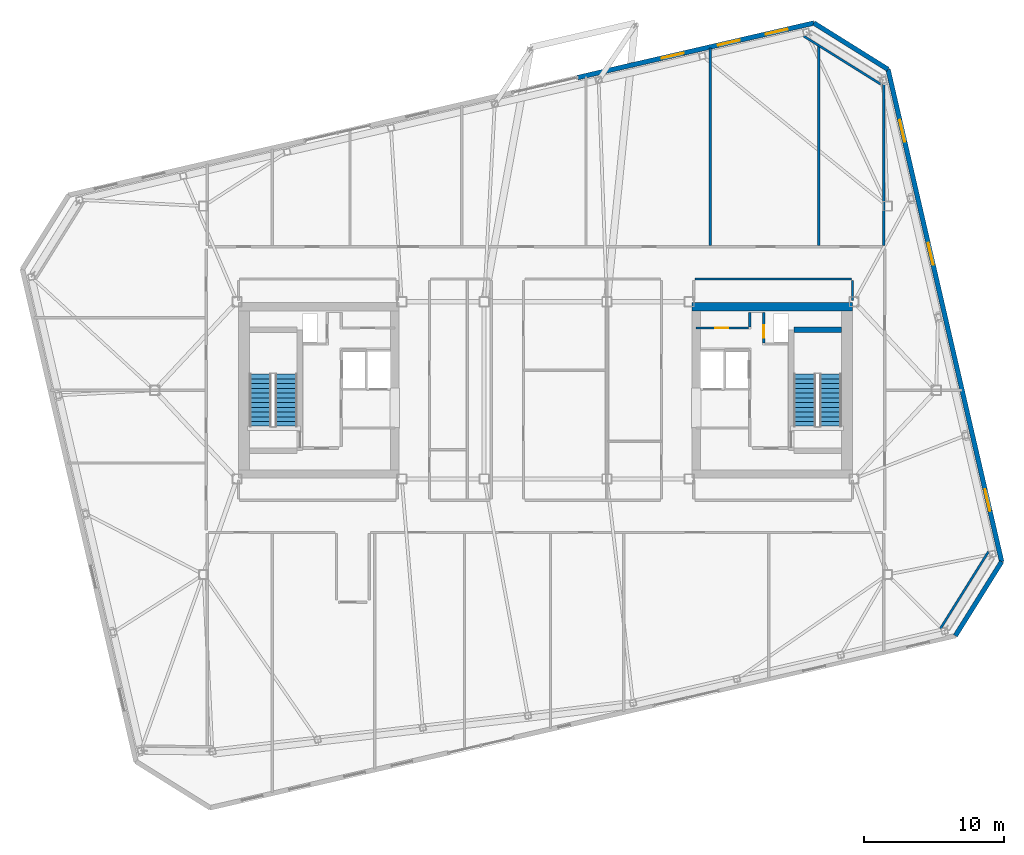
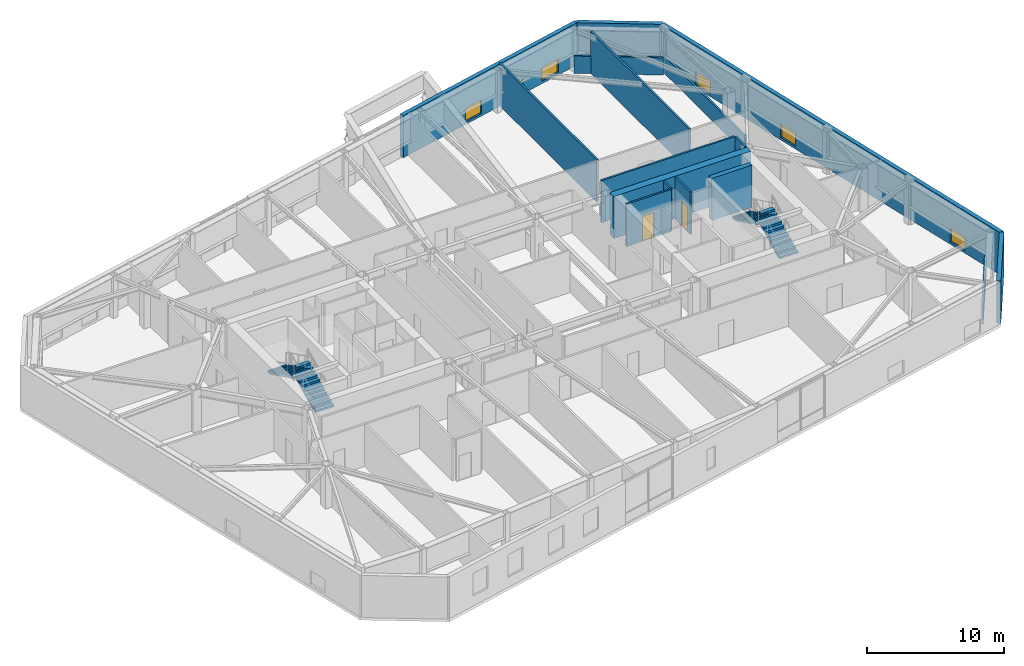
# One storey, part 19 of 23: 16 walls, 6 windows, 4 stair flights, 2 doors, 8 openings, 2 elements without a shape of their own.
"""IFC4 building model written with IfcOpenShell, lengths in metres."""

import ifcopenshell
import ifcopenshell.guid

model = None  # the IFC model being written
_history = None  # IfcOwnerHistory: only IFC2X3 demands one
_inside = {}  # id of a spatial element -> (the spatial element, [elements in it])
_under = {}  # id of a project, library or spatial element -> (it, [spatial elements below it])
_declared = {}  # id of a project -> (the project, [libraries it declares])
_typed = {}  # id of a type object -> (the type object, [elements of that type])
_made_of = {}  # id of a material, layer set ... -> (it, [elements and type objects made of it])


def new_model(schema):
    """Start an empty IFC model of exactly this schema.

    Asked for "IFC4X3", IfcOpenShell would pick the latest addendum, in which some entities
    have other attributes; the version numbers below select the first issue.
    IFC2X3 requires an IfcOwnerHistory on every rooted entity: one is made here for all.
    """
    global model, _history
    if schema == "IFC4X3":
        model = ifcopenshell.file(schema_version=(4, 3, 0, 0))
    else:
        model = ifcopenshell.file(schema=schema)
    _inside.clear()
    _under.clear()
    _declared.clear()
    _typed.clear()
    _made_of.clear()
    _history = None
    if model.schema == "IFC2X3":
        org = make("IfcOrganization", Name="unknown")
        user = make(
            "IfcPersonAndOrganization",
            ThePerson=make("IfcPerson", FamilyName="unknown"),
            TheOrganization=org,
        )
        app = make(
            "IfcApplication",
            ApplicationDeveloper=org,
            Version="unknown",
            ApplicationFullName="unknown",
            ApplicationIdentifier="unknown",
        )
        _history = make(
            "IfcOwnerHistory",
            OwningUser=user,
            OwningApplication=app,
            ChangeAction="ADDED",
            CreationDate=0,
        )
    return model


def make(cls, **values):
    """One entity of the class cls with the attributes given. An attribute that is None is left unset."""
    return model.create_entity(
        cls, **{name: value for name, value in values.items() if value is not None}
    )


def rooted(cls, **values):
    """An entity with a GlobalId (a new one), such as an element, a storey or a relation."""
    return make(cls, GlobalId=ifcopenshell.guid.new(), OwnerHistory=_history, **values)


def si_unit(unit_type, name, prefix=None):
    """IfcSIUnit, for example si_unit("LENGTHUNIT", "METRE", prefix="MILLI")."""
    return make("IfcSIUnit", UnitType=unit_type, Prefix=prefix, Name=name)


def assignment(units):
    """IfcUnitAssignment: the units of a project."""
    return None if units is None else make("IfcUnitAssignment", Units=units)


def point(xyz):
    """IfcCartesianPoint."""
    return None if xyz is None else make("IfcCartesianPoint", Coordinates=xyz)


def direction(xyz):
    """IfcDirection."""
    return None if xyz is None else make("IfcDirection", DirectionRatios=xyz)


def frame(location, z_axis=None, x_axis=None):
    """IfcAxis2Placement3D, a coordinate frame: its origin and axes. An axis left out is left unset."""
    return make(
        "IfcAxis2Placement3D",
        Location=point(location),
        Axis=direction(z_axis),
        RefDirection=direction(x_axis),
    )


def frame_2d(location, x_axis=None):
    """IfcAxis2Placement2D, a coordinate frame in the plane: its origin and x axis."""
    return make(
        "IfcAxis2Placement2D", Location=point(location), RefDirection=direction(x_axis)
    )


def origin():
    """The frame at (0, 0, 0) with its axes left unset."""
    return frame((0.0, 0.0, 0.0))


def place(relative_to, where):
    """IfcLocalPlacement: puts the frame where relative to a parent placement (None: the world)."""
    return make(
        "IfcLocalPlacement", PlacementRelTo=relative_to, RelativePlacement=where
    )


def context(
    kind, dimensions, precision=None, world=None, true_north=None, identifier=None
):
    """IfcGeometricRepresentationContext, for example the 3D "Model" context."""
    return make(
        "IfcGeometricRepresentationContext",
        ContextIdentifier=identifier,
        ContextType=kind,
        CoordinateSpaceDimension=dimensions,
        Precision=precision,
        WorldCoordinateSystem=world,
        TrueNorth=true_north,
    )


def subcontext(parent, identifier, kind, view, scale=None):
    """IfcGeometricRepresentationSubContext, for example "Body" below "Model"."""
    return make(
        "IfcGeometricRepresentationSubContext",
        ContextIdentifier=identifier,
        ContextType=kind,
        ParentContext=parent,
        TargetScale=scale,
        TargetView=view,
    )


def project(units=None, contexts=None):
    """IfcProject with its units and contexts."""
    return rooted(
        "IfcProject",
        Name="project",
        RepresentationContexts=contexts,
        UnitsInContext=assignment(units),
    )


def spatial(cls, under=None, at=None, **own):
    """A site, building, storey or space (cls), placed at a placement, below another one or the project."""
    s = rooted(cls, ObjectPlacement=at, **own)
    if under is not None:
        _under.setdefault(under.id(), (under, []))[1].append(s)
    return s


def polyline(points):
    """IfcPolyline through the points."""
    return make("IfcPolyline", Points=[point(p) for p in points])


def profile(cls, at=None, kind="AREA", **sizes):
    """A parametric profile (cls). Its sizes go by their IFC names, for example OverallWidth=200.0."""
    return make(cls, ProfileType=kind, Position=at, **sizes)


def rectangle(**sizes):
    """IfcRectangleProfileDef."""
    return profile("IfcRectangleProfileDef", **sizes)


def outline(outer, holes=None, kind="AREA"):
    """IfcArbitraryClosedProfileDef: a profile drawn as a closed curve; with holes, ...WithVoids."""
    if holes is None:
        return make("IfcArbitraryClosedProfileDef", ProfileType=kind, OuterCurve=outer)
    return make(
        "IfcArbitraryProfileDefWithVoids",
        ProfileType=kind,
        OuterCurve=outer,
        InnerCurves=holes,
    )


def extrude(swept, where, along, depth):
    """IfcExtrudedAreaSolid: the profile swept, set in the frame where, extruded along a direction by depth."""
    return make(
        "IfcExtrudedAreaSolid",
        SweptArea=swept,
        Position=where,
        ExtrudedDirection=direction(along),
        Depth=depth,
    )


def shape(context_of_items, identifier, shape_type, items):
    """IfcShapeRepresentation: the items that make up one representation, for example the "Body"."""
    return make(
        "IfcShapeRepresentation",
        ContextOfItems=context_of_items,
        RepresentationIdentifier=identifier,
        RepresentationType=shape_type,
        Items=items,
    )


def material(Name=None, Category=None):
    """IfcMaterial."""
    return make("IfcMaterial", Name=Name, Category=Category)


def layer(
    of_material, thickness, ventilated=None, Name=None, Category=None, Priority=None
):
    """IfcMaterialLayer: one layer of a wall or slab, of a material (None: an air gap)."""
    return make(
        "IfcMaterialLayer",
        Material=of_material,
        LayerThickness=thickness,
        IsVentilated=ventilated,
        Name=Name,
        Category=Category,
        Priority=Priority,
    )


def layer_set(layers, Name=None):
    """IfcMaterialLayerSet."""
    return make("IfcMaterialLayerSet", MaterialLayers=layers, LayerSetName=Name)


def made_of(thing, what):
    """Note that an element or type object is made of a material, layer set ...; save() writes the relation."""
    if what is not None:
        _made_of.setdefault(what.id(), (what, []))[1].append(thing)
    return thing


def type_object(cls, material=None, **own):
    """A type object (cls), such as IfcWallType, which elements share."""
    return made_of(rooted(cls, **own), material)


def element(
    cls,
    number,
    at=None,
    inside=None,
    cuts=None,
    type_object=None,
    material=None,
    context=None,
    identifier="Body",
    shape_type=None,
    held_by="IfcProductDefinitionShape",
    body=None,
    shapes=None,
    **own,
):
    """One element of the class cls, such as IfcWall. Its Tag is "e" and its number.

    at: its placement. inside: the storey or other place that contains it. cuts: it is an
    opening in that element (IfcRelVoidsElement). A single representation is given by context,
    identifier, shape_type and body (its items); several are given by shapes. held_by: the class
    of the entity that holds the representations. save() writes the other relations.
    """
    e = rooted(cls, Tag="e%d" % number, ObjectPlacement=at, **own)
    if body is not None:
        shapes = [shape(context, identifier, shape_type, body)]
    if shapes is not None:
        e.Representation = make(held_by, Representations=shapes)
    if inside is not None:
        _inside.setdefault(inside.id(), (inside, []))[1].append(e)
    if cuts is not None:
        rooted(
            "IfcRelVoidsElement", RelatingBuildingElement=cuts, RelatedOpeningElement=e
        )
    if type_object is not None:
        _typed.setdefault(type_object.id(), (type_object, []))[1].append(e)
    return made_of(e, material)


def fill(opening, filler):
    """IfcRelFillsElement: the door or window that sits in an opening."""
    return rooted(
        "IfcRelFillsElement",
        RelatingOpeningElement=opening,
        RelatedBuildingElement=filler,
    )


def aggregate(whole, parts):
    """IfcRelAggregates: a whole, such as a stair, and the parts it consists of."""
    return rooted("IfcRelAggregates", RelatingObject=whole, RelatedObjects=parts)


def save(model, path):
    """Write the relations noted so far, then the file.

    IfcRelAggregates (storeys below a building ...), IfcRelContainedInSpatialStructure (elements
    in a storey), IfcRelDefinesByType, IfcRelAssociatesMaterial and IfcRelDeclares: one each for
    every whole, place, type object, material and project.
    """
    for whole, parts in _under.values():
        aggregate(whole, parts)
    for where, things in _inside.values():
        rooted(
            "IfcRelContainedInSpatialStructure",
            RelatedElements=things,
            RelatingStructure=where,
        )
    for kind, things in _typed.values():
        rooted("IfcRelDefinesByType", RelatedObjects=things, RelatingType=kind)
    for what, things in _made_of.values():
        rooted("IfcRelAssociatesMaterial", RelatedObjects=things, RelatingMaterial=what)
    for by, libraries in _declared.values():
        rooted("IfcRelDeclares", RelatingContext=by, RelatedDefinitions=libraries)
    model.write(path)


model = new_model("IFC4")

# Units and contexts
model_context = context("Model", 3, precision=1e-05, world=origin(), true_north=direction((0.0, 1.0)))
body_context = subcontext(model_context, "Body", "Model", "MODEL_VIEW")
ifc_project = project(units=[si_unit("LENGTHUNIT", "METRE"), si_unit("AREAUNIT", "SQUARE_METRE"), si_unit("VOLUMEUNIT", "CUBIC_METRE"), si_unit("PLANEANGLEUNIT", "RADIAN"), si_unit("MASSUNIT", "GRAM", prefix="KILO")], contexts=[model_context])

# Site, building, storey
site_placement = place(None, origin())
site = spatial("IfcSite", under=ifc_project, at=site_placement, CompositionType="ELEMENT")
building_placement = place(site_placement, origin())
building = spatial("IfcBuilding", under=site, at=building_placement, Name="Tavrogorsk Clinical Tower", CompositionType="ELEMENT")
storey_placement = place(building_placement, frame((0.0, 0.0, 305.0)))
storey = spatial("IfcBuildingStorey", under=building, at=storey_placement, Name="L71", CompositionType="ELEMENT", Elevation=305.0)

# Wall, opening, door
ifc_material_1 = material(Name="Lightweight concrete blockwork B15", Category="masonry")
ifc_layer_1 = layer(ifc_material_1, 0.159912109375)
ifc_layer_set_1 = layer_set([ifc_layer_1], Name="Lightweight concrete blockwork B15")
wall_type_1 = type_object("IfcWallType", Name="PartitionWall_160", PredefinedType="PARTITIONING", material=ifc_layer_set_1)
wall_1_placement = place(storey_placement, frame((10.800048828125, 4.4599609375, 0.0), z_axis=(0.0, 0.0, 1.0), x_axis=(1.0, 0.0, 0.0)))
wall_1 = element("IfcWall", 1, at=wall_1_placement, inside=storey, type_object=wall_type_1, Name="L71 Core East Pneumatic Dispatch South Wall", PredefinedType="PARTITIONING", context=body_context, shape_type="SweptSolid", body=[
    extrude(rectangle(XDim=3.7548828125, YDim=0.159912109375, at=frame_2d((1.87744140625, 0.0))), origin(), (0.0, 0.0, 1.0), 3.739990234375),
])
opening_1_placement = place(wall_1_placement, frame((1.35009765625, 0.0, 0.0)))
opening_1 = element("IfcOpeningElement", 2, at=opening_1_placement, cuts=wall_1, Name="Opening ID-02", PredefinedType="OPENING", context=body_context, shape_type="SweptSolid", body=[
    extrude(rectangle(XDim=0.949951171875, YDim=2.199951171875, at=frame_2d((0.47509765625, 1.10009765625))), frame((0.0, 0.08984375, 0.0), z_axis=(0.0, -1.0, 0.0), x_axis=(1.0, 0.0, 0.0)), (0.0, 0.0, 1.0), 0.179931640625),
])
ifc_material_2 = material(Name="Laminated timber leaf on aluminium frame", Category="wood")
door_type_1 = type_object("IfcDoorType", Name="InteriorDoor_ID02_950", OperationType="NOTDEFINED", PredefinedType="DOOR", material=ifc_material_2)
door_1_placement = place(opening_1_placement, origin())
door_1 = element("IfcDoor", 3, at=door_1_placement, inside=storey, type_object=door_type_1, Name="L71 Core East Pneumatic Dispatch Door", OperationType="SINGLE_SWING_LEFT", OverallHeight=2.199951171875, OverallWidth=0.949951171875, PredefinedType="DOOR", context=body_context, shape_type="SweptSolid", body=[
    extrude(rectangle(XDim=0.949951171875, YDim=2.199951171875, at=frame_2d((0.47509765625, 1.10009765625))), frame((0.0, 0.02490234375, 0.0), z_axis=(0.0, -1.0, 0.0), x_axis=(1.0, 0.0, 0.0)), (0.0, 0.0, 1.0), 0.050048828125),
])
fill(opening_1, door_1)

# Walls
wall_2_placement = place(storey_placement, frame((14.639892578125, 4.544921875, 0.0), z_axis=(0.0, 0.0, 1.0), x_axis=(0.0, 1.0, 0.0)))
element("IfcWall", 4, at=wall_2_placement, inside=storey, type_object=wall_type_1, Name="L71 Core East Pneumatic Dispatch East Wall", PredefinedType="PARTITIONING", context=body_context, shape_type="SweptSolid", body=[
    extrude(rectangle(XDim=1.01513671875, YDim=0.159912109375, at=frame_2d((0.507568359375, 0.0))), origin(), (0.0, 0.0, 1.0), 3.739990234375),
])
for number, where, z_axis, x_axis, name in (
    (5, (28.30029296875, -17.064697265625, 0.0), (0.0, 0.0, 1.0), (0.529914601736, 0.848051009591, 0.0), "L71 Corner Exoskeleton Brace Furring Wall 1"),
    (6, (24.018310546875, 21.9306640625, 0.0), (0.0, 0.0, 1.0), (-0.848051009591, 0.529914601736, 0.0), "L71 Corner Exoskeleton Brace Furring Wall 2"),
):
    element("IfcWall", number, at=place(storey_placement, frame(where, z_axis=z_axis, x_axis=x_axis)), inside=storey, type_object=wall_type_1, Name=name, PredefinedType="PARTITIONING", context=body_context, shape_type="SweptSolid", body=[
        extrude(rectangle(XDim=6.50537109375, YDim=0.159912109375, at=frame_2d((3.252685546875, 0.0))), origin(), (0.0, 0.0, 1.0), 1.534912109375),
    ])
wall_3_placement = place(storey_placement, frame((21.9150390625, 7.969970703125, 0.0), z_axis=(0.0, 0.0, 1.0), x_axis=(-1.0, 0.0, 0.0)))
element("IfcWall", 7, at=wall_3_placement, inside=storey, type_object=wall_type_1, Name="L71 Corridor Partition 09", PredefinedType="PARTITIONING", context=body_context, shape_type="SweptSolid", body=[
    extrude(rectangle(XDim=11.199951171875, YDim=0.159912109375, at=frame_2d((5.60009765625, 0.0))), origin(), (0.0, 0.0, 1.0), 3.739990234375),
])
wall_4_placement = place(storey_placement, frame((22.0, 6.419921875, 0.0), z_axis=(0.0, 0.0, 1.0), x_axis=(0.0, 1.0, 0.0)))
element("IfcWall", 8, at=wall_4_placement, inside=storey, type_object=wall_type_1, Name="L71 Corridor Partition 14", PredefinedType="PARTITIONING", context=body_context, shape_type="SweptSolid", body=[
    extrude(rectangle(XDim=1.465087890625, YDim=0.159912109375, at=frame_2d((0.732421875, 0.0))), origin(), (0.0, 0.0, 1.0), 3.739990234375),
])
wall_5_placement = place(storey_placement, frame((24.22998046875, 10.364990234375, 0.0), z_axis=(0.0, 0.0, 1.0), x_axis=(0.0, 1.0, 0.0)))
element("IfcWall", 9, at=wall_5_placement, inside=storey, type_object=wall_type_1, Name="L71 NE Wing Closure Partition", PredefinedType="PARTITIONING", context=body_context, shape_type="SweptSolid", body=[
    extrude(rectangle(XDim=12.206298828125, YDim=0.159912109375, at=frame_2d((6.10302734375, 0.0))), origin(), (0.0, 0.0, 1.0), 1.534912109375),
])
wall_6_placement = place(storey_placement, frame((11.800048828125, 10.364990234375, 0.0), z_axis=(0.0, 0.0, 1.0), x_axis=(0.0, 1.0, 0.0)))
element("IfcWall", 10, at=wall_6_placement, inside=storey, type_object=wall_type_1, Name="L71 North Room Partition 5", PredefinedType="PARTITIONING", context=body_context, shape_type="SweptSolid", body=[
    extrude(rectangle(XDim=14.1640625, YDim=0.159912109375, at=frame_2d((7.08203125, 0.0))), origin(), (0.0, 0.0, 1.0), 3.739990234375),
])
wall_7_placement = place(storey_placement, frame((19.580078125, 10.364990234375, 0.0), z_axis=(0.0, 0.0, 1.0), x_axis=(0.0, 1.0, 0.0)))
element("IfcWall", 11, at=wall_7_placement, inside=storey, type_object=wall_type_1, Name="L71 North Room Partition 6", PredefinedType="PARTITIONING", context=body_context, shape_type="SweptSolid", body=[
    extrude(rectangle(XDim=14.348388671875, YDim=0.159912109375, at=frame_2d((7.17431640625, 0.0))), origin(), (0.0, 0.0, 1.0), 3.739990234375),
])

# Wall, openings, windows
ifc_material_3 = material(Name="Precast concrete B45 with limestone cladding", Category="masonry")
ifc_layer_2 = layer(ifc_material_3, 0.340087890625)
ifc_layer_set_2 = layer_set([ifc_layer_2], Name="Precast concrete B45 with limestone cladding")
wall_type_2 = type_object("IfcWallType", Name="PrecastLimestoneWall_340", PredefinedType="STANDARD", material=ifc_layer_set_2)
wall_8_placement = place(storey_placement, frame((19.2294921875, 26.316162109375, 0.0), z_axis=(0.0, 0.0, 1.0), x_axis=(-0.974372473594, -0.224940620392, 0.0)))
wall_8 = element("IfcWall", 12, at=wall_8_placement, inside=storey, type_object=wall_type_2, Name="L71 N Limestone Facade Wall 1", PredefinedType="STANDARD", context=body_context, shape_type="SweptSolid", body=[
    extrude(rectangle(XDim=17.36572265625, YDim=0.340087890625, at=frame_2d((8.682861328125, 0.0))), origin(), (0.0, 0.0, 1.0), 3.739990234375),
])
opening_2_placement = place(wall_8_placement, frame((9.57568359375, 0.0, 0.219970703125)))
opening_2 = element("IfcOpeningElement", 13, at=opening_2_placement, cuts=wall_8, Name="Opening WN-09", PredefinedType="OPENING", context=body_context, shape_type="SweptSolid", body=[
    extrude(rectangle(XDim=1.60009765625, YDim=1.199951171875, at=frame_2d((0.800048828125, 0.60009765625))), frame((0.0, 0.179931640625, 0.0), z_axis=(0.0, -1.0, 0.0), x_axis=(1.0, 0.0, 0.0)), (0.0, 0.0, 1.0), 0.360107421875),
])
opening_3_placement = place(wall_8_placement, frame((5.453125, 0.0, 0.219970703125)))
opening_3 = element("IfcOpeningElement", 14, at=opening_3_placement, cuts=wall_8, Name="Opening WN-09", PredefinedType="OPENING", context=body_context, shape_type="SweptSolid", body=[
    extrude(rectangle(XDim=1.60009765625, YDim=1.199951171875, at=frame_2d((0.800048828125, 0.60009765625))), frame((0.0, 0.179931640625, 0.0), z_axis=(0.0, -1.0, 0.0), x_axis=(1.0, 0.0, 0.0)), (0.0, 0.0, 1.0), 0.360107421875),
])
opening_4_placement = place(wall_8_placement, frame((1.94140625, 0.0, 0.219970703125)))
opening_4 = element("IfcOpeningElement", 15, at=opening_4_placement, cuts=wall_8, Name="Opening WN-09", PredefinedType="OPENING", context=body_context, shape_type="SweptSolid", body=[
    extrude(rectangle(XDim=1.60009765625, YDim=1.199951171875, at=frame_2d((0.800048828125, 0.60009765625))), frame((0.0, 0.179931640625, 0.0), z_axis=(0.0, -1.0, 0.0), x_axis=(1.0, 0.0, 0.0)), (0.0, 0.0, 1.0), 0.360107421875),
])
ifc_material_4 = material(Name="Thermally broken aluminium frame and triple IGU", Category="aluminium")
window_type = type_object("IfcWindowType", Name="LowHeadTransWin_1600x1200", PartitioningType="DOUBLE_PANEL_VERTICAL", PredefinedType="WINDOW", material=ifc_material_4)
window_1_placement = place(opening_2_placement, origin())
window_1 = element("IfcWindow", 16, at=window_1_placement, inside=storey, type_object=window_type, Name="L71 N Chicago Window 08", OverallHeight=1.199951171875, OverallWidth=1.60009765625, PartitioningType="SINGLE_PANEL", PredefinedType="WINDOW", context=body_context, shape_type="SweptSolid", body=[
    extrude(rectangle(XDim=1.60009765625, YDim=1.199951171875, at=frame_2d((0.800048828125, 0.60009765625))), frame((0.0, 0.030029296875, 0.0), z_axis=(0.0, -1.0, 0.0), x_axis=(1.0, 0.0, 0.0)), (0.0, 0.0, 1.0), 0.06005859375),
])
fill(opening_2, window_1)
window_2_placement = place(opening_3_placement, origin())
window_2 = element("IfcWindow", 17, at=window_2_placement, inside=storey, type_object=window_type, Name="L71 N Chicago Window 09", OverallHeight=1.199951171875, OverallWidth=1.60009765625, PartitioningType="SINGLE_PANEL", PredefinedType="WINDOW", context=body_context, shape_type="SweptSolid", body=[
    extrude(rectangle(XDim=1.60009765625, YDim=1.199951171875, at=frame_2d((0.800048828125, 0.60009765625))), frame((0.0, 0.030029296875, 0.0), z_axis=(0.0, -1.0, 0.0), x_axis=(1.0, 0.0, 0.0)), (0.0, 0.0, 1.0), 0.06005859375),
])
fill(opening_3, window_2)
window_3_placement = place(opening_4_placement, origin())
window_3 = element("IfcWindow", 18, at=window_3_placement, inside=storey, type_object=window_type, Name="L71 N Chicago Window 10", OverallHeight=1.199951171875, OverallWidth=1.60009765625, PartitioningType="SINGLE_PANEL", PredefinedType="WINDOW", context=body_context, shape_type="SweptSolid", body=[
    extrude(rectangle(XDim=1.60009765625, YDim=1.199951171875, at=frame_2d((0.800048828125, 0.60009765625))), frame((0.0, 0.030029296875, 0.0), z_axis=(0.0, -1.0, 0.0), x_axis=(1.0, 0.0, 0.0)), (0.0, 0.0, 1.0), 0.06005859375),
])
fill(opening_4, window_3)

wall_9_placement = place(storey_placement, frame((32.685791015625, -12.27587890625, 0.0), z_axis=(0.0, 0.0, 1.0), x_axis=(-0.224953091034, 0.974369594576, 0.0)))
wall_9 = element("IfcWall", 19, at=wall_9_placement, inside=storey, type_object=wall_type_2, Name="L71 E Pleated Limestone Wing Wall", PredefinedType="STANDARD", context=body_context, shape_type="SweptSolid", body=[
    extrude(rectangle(XDim=36.199951171875, YDim=0.340087890625, at=frame_2d((18.10009765625, 0.0))), origin(), (0.0, 0.0, 1.0), 3.739990234375),
])
opening_5_placement = place(wall_9_placement, frame((3.72509765625, 0.0, 0.219970703125)))
opening_5 = element("IfcOpeningElement", 20, at=opening_5_placement, cuts=wall_9, Name="Opening WN-09", PredefinedType="OPENING", context=body_context, shape_type="SweptSolid", body=[
    extrude(rectangle(XDim=1.60009765625, YDim=1.199951171875, at=frame_2d((0.800048828125, 0.60009765625))), frame((0.0, 0.179931640625, 0.0), z_axis=(0.0, -1.0, 0.0), x_axis=(1.0, 0.0, 0.0)), (0.0, 0.0, 1.0), 0.360107421875),
])
opening_6_placement = place(wall_9_placement, frame((21.824951171875, 0.0, 0.219970703125)))
opening_6 = element("IfcOpeningElement", 21, at=opening_6_placement, cuts=wall_9, Name="Opening WN-09", PredefinedType="OPENING", context=body_context, shape_type="SweptSolid", body=[
    extrude(rectangle(XDim=1.60009765625, YDim=1.199951171875, at=frame_2d((0.800048828125, 0.60009765625))), frame((0.0, 0.179931640625, 0.0), z_axis=(0.0, -1.0, 0.0), x_axis=(1.0, 0.0, 0.0)), (0.0, 0.0, 1.0), 0.360107421875),
])
opening_7_placement = place(wall_9_placement, frame((30.875, 0.0, 0.219970703125)))
opening_7 = element("IfcOpeningElement", 22, at=opening_7_placement, cuts=wall_9, Name="Opening WN-09", PredefinedType="OPENING", context=body_context, shape_type="SweptSolid", body=[
    extrude(rectangle(XDim=1.60009765625, YDim=1.199951171875, at=frame_2d((0.800048828125, 0.60009765625))), frame((0.0, 0.179931640625, 0.0), z_axis=(0.0, -1.0, 0.0), x_axis=(1.0, 0.0, 0.0)), (0.0, 0.0, 1.0), 0.360107421875),
])
window_4_placement = place(opening_5_placement, origin())
window_4 = element("IfcWindow", 23, at=window_4_placement, inside=storey, type_object=window_type, Name="L71 E Pleat Slot Window 1", OverallHeight=1.199951171875, OverallWidth=1.60009765625, PartitioningType="SINGLE_PANEL", PredefinedType="WINDOW", context=body_context, shape_type="SweptSolid", body=[
    extrude(rectangle(XDim=1.60009765625, YDim=1.199951171875, at=frame_2d((0.800048828125, 0.60009765625))), frame((0.0, 0.030029296875, 0.0), z_axis=(0.0, -1.0, 0.0), x_axis=(1.0, 0.0, 0.0)), (0.0, 0.0, 1.0), 0.06005859375),
])
fill(opening_5, window_4)
window_5_placement = place(opening_6_placement, origin())
window_5 = element("IfcWindow", 24, at=window_5_placement, inside=storey, type_object=window_type, Name="L71 E Pleat Slot Window 3", OverallHeight=1.199951171875, OverallWidth=1.60009765625, PartitioningType="SINGLE_PANEL", PredefinedType="WINDOW", context=body_context, shape_type="SweptSolid", body=[
    extrude(rectangle(XDim=1.60009765625, YDim=1.199951171875, at=frame_2d((0.800048828125, 0.60009765625))), frame((0.0, 0.030029296875, 0.0), z_axis=(0.0, -1.0, 0.0), x_axis=(1.0, 0.0, 0.0)), (0.0, 0.0, 1.0), 0.06005859375),
])
fill(opening_6, window_5)
window_6_placement = place(opening_7_placement, origin())
window_6 = element("IfcWindow", 25, at=window_6_placement, inside=storey, type_object=window_type, Name="L71 E Pleat Slot Window 4", OverallHeight=1.199951171875, OverallWidth=1.60009765625, PartitioningType="SINGLE_PANEL", PredefinedType="WINDOW", context=body_context, shape_type="SweptSolid", body=[
    extrude(rectangle(XDim=1.60009765625, YDim=1.199951171875, at=frame_2d((0.800048828125, 0.60009765625))), frame((0.0, 0.030029296875, 0.0), z_axis=(0.0, -1.0, 0.0), x_axis=(1.0, 0.0, 0.0)), (0.0, 0.0, 1.0), 0.06005859375),
])
fill(opening_7, window_6)

# Walls
for number, where, z_axis, x_axis, name in (
    (26, (29.365966796875, -17.5888671875, 0.0), (0.0, 0.0, 1.0), (0.529907862057, 0.848055220921, 0.0), "L71 Chamfered Corner Wall 1"),
    (27, (24.54248046875, 22.996337890625, 0.0), (0.0, 0.0, 1.0), (-0.848055220921, 0.529907862057, 0.0), "L71 Chamfered Corner Wall 2"),
):
    element("IfcWall", number, at=place(storey_placement, frame(where, z_axis=z_axis, x_axis=x_axis)), inside=storey, type_object=wall_type_2, Name=name, PredefinedType="STANDARD", context=body_context, shape_type="SweptSolid", body=[
        extrude(rectangle(XDim=6.264892578125, YDim=0.340087890625, at=frame_2d((3.13232421875, 0.0))), origin(), (0.0, 0.0, 1.0), 3.739990234375),
    ])

# Wall, opening, door
ifc_material_5 = material(Name="Lightweight concrete blockwork B25", Category="masonry")
ifc_layer_3 = layer(ifc_material_5, 0.159912109375)
ifc_layer_set_3 = layer_set([ifc_layer_3], Name="Lightweight concrete blockwork B25")
wall_type_3 = type_object("IfcWallType", Name="ShaftWall_160", PredefinedType="PARTITIONING", material=ifc_layer_set_3)
wall_10_placement = place(storey_placement, frame((15.639892578125, 3.405029296875, 0.0), z_axis=(0.0, 0.0, 1.0), x_axis=(0.0, 1.0, 0.0)))
wall_10 = element("IfcWall", 28, at=wall_10_placement, inside=storey, type_object=wall_type_3, Name="L71 Core East Riser West Wall", PredefinedType="PARTITIONING", context=body_context, shape_type="SweptSolid", body=[
    extrude(rectangle(XDim=2.155029296875, YDim=0.159912109375, at=frame_2d((1.07763671875, 0.0))), origin(), (0.0, 0.0, 1.0), 3.739990234375),
])
opening_8_placement = place(wall_10_placement, frame((0.35009765625, 0.0, 0.0)))
opening_8 = element("IfcOpeningElement", 29, at=opening_8_placement, cuts=wall_10, Name="Opening FD-02", PredefinedType="OPENING", context=body_context, shape_type="SweptSolid", body=[
    extrude(rectangle(XDim=0.89990234375, YDim=2.199951171875, at=frame_2d((0.449951171875, 1.10009765625))), frame((0.0, 0.08984375, 0.0), z_axis=(0.0, -1.0, 0.0), x_axis=(1.0, 0.0, 0.0)), (0.0, 0.0, 1.0), 0.179931640625),
])
ifc_material_6 = material(Name="Galvanised steel fire-rated door assembly", Category="steel")
door_type_2 = type_object("IfcDoorType", Name="FireDoor_FD02_900", OperationType="NOTDEFINED", PredefinedType="DOOR", material=ifc_material_6)
door_2_placement = place(opening_8_placement, origin())
door_2 = element("IfcDoor", 30, at=door_2_placement, inside=storey, type_object=door_type_2, Name="L71 Core East Electrical Riser Access Door", OperationType="SINGLE_SWING_LEFT", OverallHeight=2.199951171875, OverallWidth=0.89990234375, PredefinedType="DOOR", context=body_context, shape_type="SweptSolid", body=[
    extrude(rectangle(XDim=0.89990234375, YDim=2.199951171875, at=frame_2d((0.449951171875, 1.10009765625))), frame((0.0, 0.02490234375, 0.0), z_axis=(0.0, -1.0, 0.0), x_axis=(1.0, 0.0, 0.0)), (0.0, 0.0, 1.0), 0.050048828125),
])
fill(opening_8, door_2)

# Walls
ifc_material_7 = material(Name="Concrete B80", Category="concrete")
ifc_layer_4 = layer(ifc_material_7, 0.39990234375)
ifc_layer_set_4 = layer_set([ifc_layer_4], Name="Concrete B80")
wall_type_4 = type_object("IfcWallType", Name="ShearWall_400", PredefinedType="SHEAR", material=ifc_layer_set_4)
wall_11_placement = place(storey_placement, frame((17.800048828125, 4.324951171875, 0.0), z_axis=(0.0, 0.0, 1.0), x_axis=(1.0, 0.0, 0.0)))
element("IfcWall", 31, at=wall_11_placement, inside=storey, type_object=wall_type_4, Name="L71 Core East Stair Shaft North Shear Wall", PredefinedType="SHEAR", context=body_context, shape_type="SweptSolid", body=[
    extrude(rectangle(XDim=3.39990234375, YDim=0.39990234375, at=frame_2d((1.699951171875, 0.0))), origin(), (0.0, 0.0, 1.0), 3.739990234375),
])
ifc_material_8 = material(Name="Concrete B80", Category="concrete")
ifc_layer_5 = layer(ifc_material_8, 0.60009765625)
ifc_layer_set_5 = layer_set([ifc_layer_5], Name="Concrete B80")
wall_type_5 = type_object("IfcWallType", Name="ShearWall_600", PredefinedType="SHEAR", material=ifc_layer_set_5)
wall_12_placement = place(storey_placement, frame((10.5, 6.0, 0.0), z_axis=(0.0, 0.0, 1.0), x_axis=(1.0, 0.0, 0.0)))
element("IfcWall", 32, at=wall_12_placement, inside=storey, type_object=wall_type_5, Name="L71 Core East North Shear Wall", PredefinedType="SHEAR", context=body_context, shape_type="SweptSolid", body=[
    extrude(rectangle(XDim=11.5, YDim=0.60009765625, at=frame_2d((5.75, 0.0))), origin(), (0.0, 0.0, 1.0), 3.739990234375),
])

# Stair, stair flights
ifc_material_9 = material(Name="Concrete B60", Category="concrete")
stair_type = type_object("IfcStairType", Name="CoreStairAssembly", PredefinedType="HALF_TURN_STAIR", material=ifc_material_9)
stair_1_placement = place(storey_placement, origin())
stair_1 = element("IfcStair", 33, at=stair_1_placement, inside=storey, type_object=stair_type, Name="L71 ST-W", PredefinedType="HALF_TURN_STAIR")
ifc_material_10 = material(Name="Concrete B60", Category="concrete")
stair_flight_type = type_object("IfcStairFlightType", Name="CoreStairFlight", PredefinedType="STRAIGHT", material=ifc_material_10)
stair_flight_1_placement = place(storey_placement, frame((-18.574951171875, -2.574951171875, 0.0), z_axis=(0.0, 0.0, 1.0), x_axis=(0.0, 1.0, 0.0)))
stair_flight_1 = element("IfcStairFlight", 34, at=stair_flight_1_placement, type_object=stair_flight_type, Name="ST-W flight 1", NumberOfRisers=12, NumberOfTreads=11, PredefinedType="STRAIGHT", RiserHeight=0.166666667, TreadLength=0.34, context=body_context, shape_type="SweptSolid", body=[
    extrude(outline(polyline([(0.0, 0.0), (0.0, 0.166748046875), (0.340087890625, 0.166748046875), (0.340087890625, 0.333251953125), (0.679931640625, 0.333251953125), (0.679931640625, 0.5), (1.02001953125, 0.5), (1.02001953125, 0.666748046875), (1.360107421875, 0.666748046875), (1.360107421875, 0.833251953125), (1.699951171875, 0.833251953125), (1.699951171875, 1.0), (2.0400390625, 1.0), (2.0400390625, 1.166748046875), (2.3798828125, 1.166748046875), (2.3798828125, 1.333251953125), (2.719970703125, 1.333251953125), (2.719970703125, 1.5), (3.06005859375, 1.5), (3.06005859375, 1.666748046875), (3.39990234375, 1.666748046875), (3.39990234375, 1.833251953125), (3.739990234375, 1.833251953125), (3.739990234375, 2.0), (3.739990234375, 1.66650390625), (0.340576171875, 0.0), (0.0, 0.0)])), frame((0.0, 0.77490234375, 0.0), z_axis=(0.0, -1.0, 0.0), x_axis=(1.0, 0.0, 0.0)), (0.0, 0.0, 1.0), 1.550048828125),
])
stair_flight_2_placement = place(storey_placement, frame((-20.425048828125, 1.1650390625, 2.0), z_axis=(0.0, 0.0, 1.0), x_axis=(0.0, -1.0, 0.0)))
stair_flight_2 = element("IfcStairFlight", 35, at=stair_flight_2_placement, type_object=stair_flight_type, Name="ST-W flight 2", NumberOfRisers=12, NumberOfTreads=11, PredefinedType="STRAIGHT", RiserHeight=0.166666667, TreadLength=0.34, context=body_context, shape_type="SweptSolid", body=[
    extrude(outline(polyline([(0.0, 0.0), (0.0, 0.166748046875), (0.340087890625, 0.166748046875), (0.340087890625, 0.333251953125), (0.679931640625, 0.333251953125), (0.679931640625, 0.5), (1.02001953125, 0.5), (1.02001953125, 0.666748046875), (1.360107421875, 0.666748046875), (1.360107421875, 0.833251953125), (1.699951171875, 0.833251953125), (1.699951171875, 1.0), (2.0400390625, 1.0), (2.0400390625, 1.166748046875), (2.3798828125, 1.166748046875), (2.3798828125, 1.333251953125), (2.719970703125, 1.333251953125), (2.719970703125, 1.5), (3.06005859375, 1.5), (3.06005859375, 1.666748046875), (3.39990234375, 1.666748046875), (3.39990234375, 1.833251953125), (3.739990234375, 1.833251953125), (3.739990234375, 2.0), (3.739990234375, 1.66650390625), (0.340576171875, 0.0), (0.0, 0.0)])), frame((0.0, 0.77490234375, 0.0), z_axis=(0.0, -1.0, 0.0), x_axis=(1.0, 0.0, 0.0)), (0.0, 0.0, 1.0), 1.550048828125),
])
aggregate(stair_1, [stair_flight_1, stair_flight_2])

stair_2_placement = place(storey_placement, origin())
stair_2 = element("IfcStair", 36, at=stair_2_placement, inside=storey, type_object=stair_type, Name="L71 ST-E", PredefinedType="HALF_TURN_STAIR")
stair_flight_3_placement = place(storey_placement, frame((20.425048828125, -2.574951171875, 0.0), z_axis=(0.0, 0.0, 1.0), x_axis=(0.0, 1.0, 0.0)))
stair_flight_3 = element("IfcStairFlight", 37, at=stair_flight_3_placement, type_object=stair_flight_type, Name="ST-E flight 1", NumberOfRisers=12, NumberOfTreads=11, PredefinedType="STRAIGHT", RiserHeight=0.166666667, TreadLength=0.34, context=body_context, shape_type="SweptSolid", body=[
    extrude(outline(polyline([(0.0, 0.0), (0.0, 0.166748046875), (0.340087890625, 0.166748046875), (0.340087890625, 0.333251953125), (0.679931640625, 0.333251953125), (0.679931640625, 0.5), (1.02001953125, 0.5), (1.02001953125, 0.666748046875), (1.360107421875, 0.666748046875), (1.360107421875, 0.833251953125), (1.699951171875, 0.833251953125), (1.699951171875, 1.0), (2.0400390625, 1.0), (2.0400390625, 1.166748046875), (2.3798828125, 1.166748046875), (2.3798828125, 1.333251953125), (2.719970703125, 1.333251953125), (2.719970703125, 1.5), (3.06005859375, 1.5), (3.06005859375, 1.666748046875), (3.39990234375, 1.666748046875), (3.39990234375, 1.833251953125), (3.739990234375, 1.833251953125), (3.739990234375, 2.0), (3.739990234375, 1.66650390625), (0.340576171875, 0.0), (0.0, 0.0)])), frame((0.0, 0.77490234375, 0.0), z_axis=(0.0, -1.0, 0.0), x_axis=(1.0, 0.0, 0.0)), (0.0, 0.0, 1.0), 1.550048828125),
])
stair_flight_4_placement = place(storey_placement, frame((18.574951171875, 1.1650390625, 2.0), z_axis=(0.0, 0.0, 1.0), x_axis=(0.0, -1.0, 0.0)))
stair_flight_4 = element("IfcStairFlight", 38, at=stair_flight_4_placement, type_object=stair_flight_type, Name="ST-E flight 2", NumberOfRisers=12, NumberOfTreads=11, PredefinedType="STRAIGHT", RiserHeight=0.166666667, TreadLength=0.34, context=body_context, shape_type="SweptSolid", body=[
    extrude(outline(polyline([(0.0, 0.0), (0.0, 0.166748046875), (0.340087890625, 0.166748046875), (0.340087890625, 0.333251953125), (0.679931640625, 0.333251953125), (0.679931640625, 0.5), (1.02001953125, 0.5), (1.02001953125, 0.666748046875), (1.360107421875, 0.666748046875), (1.360107421875, 0.833251953125), (1.699951171875, 0.833251953125), (1.699951171875, 1.0), (2.0400390625, 1.0), (2.0400390625, 1.166748046875), (2.3798828125, 1.166748046875), (2.3798828125, 1.333251953125), (2.719970703125, 1.333251953125), (2.719970703125, 1.5), (3.06005859375, 1.5), (3.06005859375, 1.666748046875), (3.39990234375, 1.666748046875), (3.39990234375, 1.833251953125), (3.739990234375, 1.833251953125), (3.739990234375, 2.0), (3.739990234375, 1.66650390625), (0.340576171875, 0.0), (0.0, 0.0)])), frame((0.0, 0.77490234375, 0.0), z_axis=(0.0, -1.0, 0.0), x_axis=(1.0, 0.0, 0.0)), (0.0, 0.0, 1.0), 1.550048828125),
])
aggregate(stair_2, [stair_flight_3, stair_flight_4])

save(model, "model.ifc")
